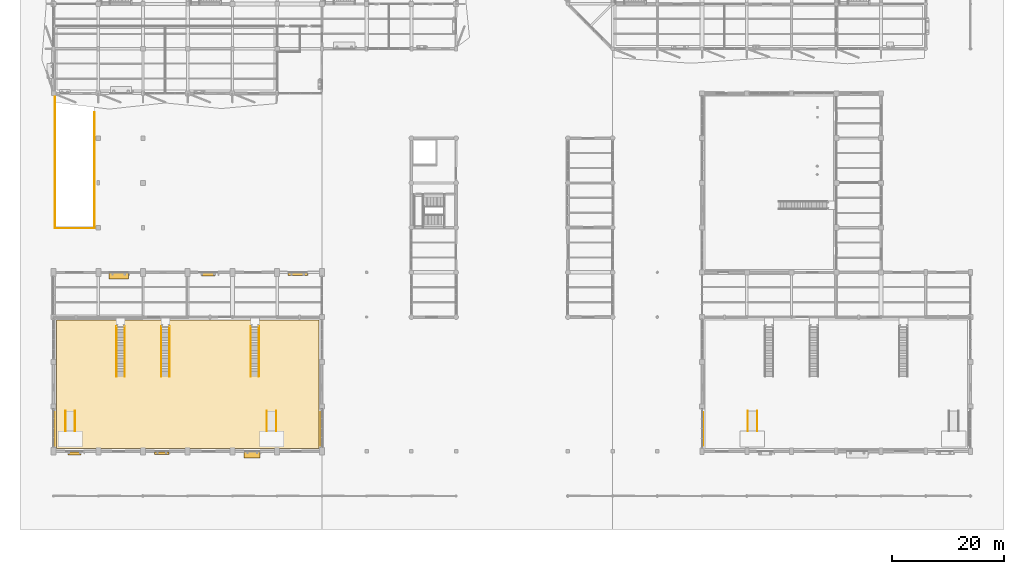
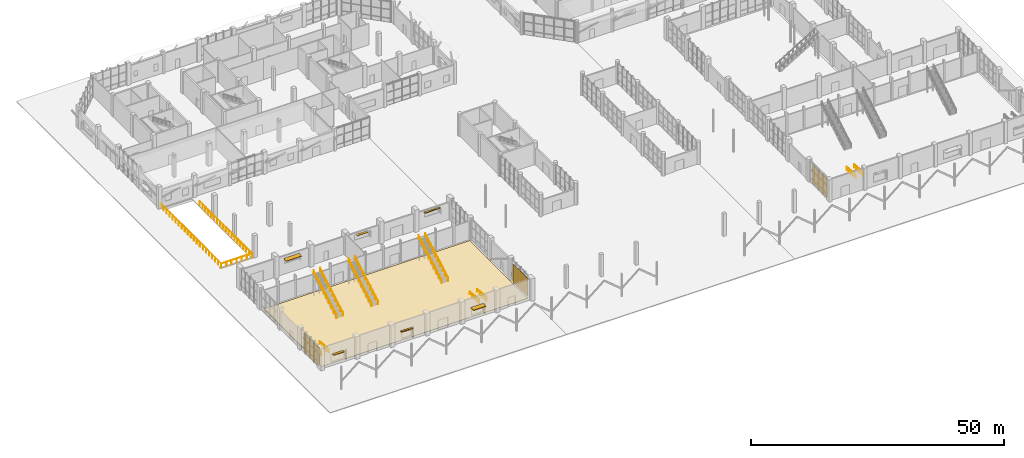
# One storey, part 114 of 123: 13 railings, 6 shading devices, 4 coverings, 6 elements without a shape of their own.
"""IFC4 building model written with IfcOpenShell, lengths in metres."""

from ifc_helpers import new_model, si_unit, direction, frame, origin, origin_2d, place, context, subcontext, project, spatial, polyline, rectangle, circle, outline, extrude, material, layer, layer_set, type_object, element, aggregate, save


model = new_model("IFC4")

# Units and contexts
model_context = context("Model", 3, precision=1e-05, world=origin(), true_north=direction((0.0, 1.0)))
body_context = subcontext(model_context, "Body", "Model", "MODEL_VIEW")
ifc_project = project(units=[si_unit("LENGTHUNIT", "METRE"), si_unit("AREAUNIT", "SQUARE_METRE"), si_unit("VOLUMEUNIT", "CUBIC_METRE"), si_unit("PLANEANGLEUNIT", "RADIAN"), si_unit("MASSUNIT", "GRAM", prefix="KILO")], contexts=[model_context])

# Site, building, storey
site_placement = place(None, origin())
site = spatial("IfcSite", under=ifc_project, at=site_placement, CompositionType="ELEMENT")
building_placement = place(site_placement, origin())
building = spatial("IfcBuilding", under=site, at=building_placement, Name="Tenunan Teduh Sports Hall", CompositionType="ELEMENT")
storey_placement = place(building_placement, origin())
storey = spatial("IfcBuildingStorey", under=building, at=storey_placement, Name="L00", CompositionType="ELEMENT", Elevation=0.0)

# Coverings
ifc_material_1 = material(Name="FIBA area-elastic sprung maple sports floor")
ifc_layer_1 = layer(ifc_material_1, 0.06494140625)
ifc_layer_set_1 = layer_set([ifc_layer_1], Name="FIBA area-elastic sprung maple sports floor")
covering_type_1 = type_object("IfcCoveringType", Name="COV-FLR-SPR", PredefinedType="FLOORING", material=ifc_layer_set_1)
covering_1_placement = place(storey_placement, origin())
element("IfcCovering", 1, at=covering_1_placement, inside=storey, type_object=covering_type_1, Name="COV-FLR-V2L", PredefinedType="FLOORING", context=body_context, shape_type="SweptSolid", body=[
    extrude(outline(polyline([(6.5, 14.5), (53.5, 14.5), (53.5, 37.5), (6.5, 37.5), (6.5, 14.5)])), origin(), (0.0, 0.0, 1.0), 0.06494140625),
])
ifc_material_2 = material(Name="Slatted timber acoustic wall absorption panel", Category="wood")
ifc_layer_2 = layer(ifc_material_2, 0.050048828125)
ifc_layer_set_2 = layer_set([ifc_layer_2], Name="Slatted timber acoustic wall absorption panel")
covering_type_2 = type_object("IfcCoveringType", Name="COV-WALL-AC", PredefinedType="CLADDING", material=ifc_layer_set_2)
covering_2_placement = place(storey_placement, origin())
element("IfcCovering", 2, at=covering_2_placement, inside=storey, type_object=covering_type_2, Name="COV-WLN-01", PredefinedType="CLADDING", context=body_context, shape_type="SweptSolid", body=[
    extrude(outline(polyline([(122.139892578125, 15.0), (122.18994140625, 15.0), (122.18994140625, 21.0), (122.139892578125, 21.0), (122.139892578125, 15.0)])), origin(), (0.0, 0.0, 1.0), 4.39990234375),
])
covering_3_placement = place(storey_placement, origin())
element("IfcCovering", 3, at=covering_3_placement, inside=storey, type_object=covering_type_2, Name="COV-WLN-03", PredefinedType="CLADDING", context=body_context, shape_type="SweptSolid", body=[
    extrude(outline(polyline([(6.139892578125, 15.0), (6.18994140625, 15.0), (6.18994140625, 21.0), (6.139892578125, 21.0), (6.139892578125, 15.0)])), origin(), (0.0, 0.0, 1.0), 4.39990234375),
])
covering_4_placement = place(storey_placement, origin())
element("IfcCovering", 4, at=covering_4_placement, inside=storey, type_object=covering_type_2, Name="COV-WLN-04", PredefinedType="CLADDING", context=body_context, shape_type="SweptSolid", body=[
    extrude(outline(polyline([(53.81005859375, 15.0), (53.860107421875, 15.0), (53.860107421875, 21.0), (53.81005859375, 21.0), (53.81005859375, 15.0)])), origin(), (0.0, 0.0, 1.0), 4.39990234375),
])

# Railing
ifc_material_3 = material(Name="Galvanised and powder-coated steel", Category="steel")
ifc_layer_3 = layer(ifc_material_3, 0.070068359375)
ifc_layer_set_3 = layer_set([ifc_layer_3], Name="Galvanised and powder-coated steel")
railing_type_1 = type_object("IfcRailingType", Name="RLG-EXT-GRD", PredefinedType="GUARDRAIL", material=ifc_layer_set_3)
railing_1_placement = place(storey_placement, frame((6.280029296875, 77.85009765625, 0.0)))
element("IfcRailing", 5, at=railing_1_placement, inside=storey, type_object=railing_type_1, Name="RLG-L00-VRMP-PIT", PredefinedType="GUARDRAIL", context=body_context, shape_type="SweptSolid", body=[
    extrude(circle(Radius=0.02392578125, at=origin_2d()), frame((0.0, 0.0, 1.09619140625), z_axis=(0.0, -1.0, 0.0), x_axis=(1.0, 0.0, 0.0)), (0.0, 0.0, 1.0), 23.97021484375),
    extrude(circle(Radius=0.02392578125, at=origin_2d()), frame((0.0, -23.97021484375, 1.09619140625), z_axis=(1.0, 0.0, 0.0), x_axis=(0.0, 1.0, 0.0)), (0.0, 0.0, 1.0), 7.0400390625),
    extrude(circle(Radius=0.02392578125, at=origin_2d()), frame((7.0400390625, -23.97021484375, 1.09619140625), z_axis=(0.0, 1.0, 0.0), x_axis=(-1.0, 0.0, 0.0)), (0.0, 0.0, 1.0), 20.72021484375),
    extrude(circle(Radius=0.02099609375, at=origin_2d()), origin(), (0.0, 0.0, 1.0), 1.072021484375),
    extrude(circle(Radius=0.02099609375, at=origin_2d()), frame((0.0, -1.198486328125, 0.0)), (0.0, 0.0, 1.0), 1.072021484375),
    extrude(circle(Radius=0.02099609375, at=origin_2d()), frame((0.0, -2.39697265625, 0.0)), (0.0, 0.0, 1.0), 1.072021484375),
    extrude(circle(Radius=0.02099609375, at=origin_2d()), frame((0.0, -3.595458984375, 0.0)), (0.0, 0.0, 1.0), 1.072021484375),
    extrude(circle(Radius=0.02099609375, at=origin_2d()), frame((0.0, -4.7939453125, 0.0)), (0.0, 0.0, 1.0), 1.072021484375),
    extrude(circle(Radius=0.02099609375, at=origin_2d()), frame((0.0, -5.99267578125, 0.0)), (0.0, 0.0, 1.0), 1.072021484375),
    extrude(circle(Radius=0.02099609375, at=origin_2d()), frame((0.0, -7.191162109375, 0.0)), (0.0, 0.0, 1.0), 1.072021484375),
    extrude(circle(Radius=0.02099609375, at=origin_2d()), frame((0.0, -8.3896484375, 0.0)), (0.0, 0.0, 1.0), 1.072021484375),
    extrude(circle(Radius=0.02099609375, at=origin_2d()), frame((0.0, -9.588134765625, 0.0)), (0.0, 0.0, 1.0), 1.072021484375),
    extrude(circle(Radius=0.02099609375, at=origin_2d()), frame((0.0, -10.78662109375, 0.0)), (0.0, 0.0, 1.0), 1.072021484375),
    extrude(circle(Radius=0.02099609375, at=origin_2d()), frame((0.0, -11.985107421875, 0.0)), (0.0, 0.0, 1.0), 1.072021484375),
    extrude(circle(Radius=0.02099609375, at=origin_2d()), frame((0.0, -13.18359375, 0.0)), (0.0, 0.0, 1.0), 1.072021484375),
    extrude(circle(Radius=0.02099609375, at=origin_2d()), frame((0.0, -14.382080078125, 0.0)), (0.0, 0.0, 1.0), 1.072021484375),
    extrude(circle(Radius=0.02099609375, at=origin_2d()), frame((0.0, -15.58056640625, 0.0)), (0.0, 0.0, 1.0), 1.072021484375),
    extrude(circle(Radius=0.02099609375, at=origin_2d()), frame((0.0, -16.779052734375, 0.0)), (0.0, 0.0, 1.0), 1.072021484375),
    extrude(circle(Radius=0.02099609375, at=origin_2d()), frame((0.0, -17.9775390625, 0.0)), (0.0, 0.0, 1.0), 1.072021484375),
    extrude(circle(Radius=0.02099609375, at=origin_2d()), frame((0.0, -19.17626953125, 0.0)), (0.0, 0.0, 1.0), 1.072021484375),
    extrude(circle(Radius=0.02099609375, at=origin_2d()), frame((0.0, -20.374755859375, 0.0)), (0.0, 0.0, 1.0), 1.072021484375),
    extrude(circle(Radius=0.02099609375, at=origin_2d()), frame((0.0, -21.5732421875, 0.0)), (0.0, 0.0, 1.0), 1.072021484375),
    extrude(circle(Radius=0.02099609375, at=origin_2d()), frame((0.0, -22.771728515625, 0.0)), (0.0, 0.0, 1.0), 1.072021484375),
    extrude(circle(Radius=0.02099609375, at=origin_2d()), frame((0.0, -23.97021484375, 0.0)), (0.0, 0.0, 1.0), 1.072021484375),
    extrude(circle(Radius=0.02099609375, at=origin_2d()), frame((1.17333984375, -23.97021484375, 0.0)), (0.0, 0.0, 1.0), 1.072021484375),
    extrude(circle(Radius=0.02099609375, at=origin_2d()), frame((2.3466796875, -23.97021484375, 0.0)), (0.0, 0.0, 1.0), 1.072021484375),
    extrude(circle(Radius=0.02099609375, at=origin_2d()), frame((3.52001953125, -23.97021484375, 0.0)), (0.0, 0.0, 1.0), 1.072021484375),
    extrude(circle(Radius=0.02099609375, at=origin_2d()), frame((4.693359375, -23.97021484375, 0.0)), (0.0, 0.0, 1.0), 1.072021484375),
    extrude(circle(Radius=0.02099609375, at=origin_2d()), frame((5.86669921875, -23.97021484375, 0.0)), (0.0, 0.0, 1.0), 1.072021484375),
    extrude(circle(Radius=0.02099609375, at=origin_2d()), frame((7.0400390625, -23.97021484375, 0.0)), (0.0, 0.0, 1.0), 1.072021484375),
    extrude(circle(Radius=0.02099609375, at=origin_2d()), frame((7.0400390625, -22.819091796875, 0.0)), (0.0, 0.0, 1.0), 1.072021484375),
    extrude(circle(Radius=0.02099609375, at=origin_2d()), frame((7.0400390625, -21.66796875, 0.0)), (0.0, 0.0, 1.0), 1.072021484375),
    extrude(circle(Radius=0.02099609375, at=origin_2d()), frame((7.0400390625, -20.516845703125, 0.0)), (0.0, 0.0, 1.0), 1.072021484375),
    extrude(circle(Radius=0.02099609375, at=origin_2d()), frame((7.0400390625, -19.36572265625, 0.0)), (0.0, 0.0, 1.0), 1.072021484375),
    extrude(circle(Radius=0.02099609375, at=origin_2d()), frame((7.0400390625, -18.214599609375, 0.0)), (0.0, 0.0, 1.0), 1.072021484375),
    extrude(circle(Radius=0.02099609375, at=origin_2d()), frame((7.0400390625, -17.0634765625, 0.0)), (0.0, 0.0, 1.0), 1.072021484375),
    extrude(circle(Radius=0.02099609375, at=origin_2d()), frame((7.0400390625, -15.912353515625, 0.0)), (0.0, 0.0, 1.0), 1.072021484375),
    extrude(circle(Radius=0.02099609375, at=origin_2d()), frame((7.0400390625, -14.76123046875, 0.0)), (0.0, 0.0, 1.0), 1.072021484375),
    extrude(circle(Radius=0.02099609375, at=origin_2d()), frame((7.0400390625, -13.610107421875, 0.0)), (0.0, 0.0, 1.0), 1.072021484375),
    extrude(circle(Radius=0.02099609375, at=origin_2d()), frame((7.0400390625, -12.458984375, 0.0)), (0.0, 0.0, 1.0), 1.072021484375),
    extrude(circle(Radius=0.02099609375, at=origin_2d()), frame((7.0400390625, -11.307861328125, 0.0)), (0.0, 0.0, 1.0), 1.072021484375),
    extrude(circle(Radius=0.02099609375, at=origin_2d()), frame((7.0400390625, -10.15673828125, 0.0)), (0.0, 0.0, 1.0), 1.072021484375),
    extrude(circle(Radius=0.02099609375, at=origin_2d()), frame((7.0400390625, -9.005615234375, 0.0)), (0.0, 0.0, 1.0), 1.072021484375),
    extrude(circle(Radius=0.02099609375, at=origin_2d()), frame((7.0400390625, -7.8544921875, 0.0)), (0.0, 0.0, 1.0), 1.072021484375),
    extrude(circle(Radius=0.02099609375, at=origin_2d()), frame((7.0400390625, -6.703369140625, 0.0)), (0.0, 0.0, 1.0), 1.072021484375),
    extrude(circle(Radius=0.02099609375, at=origin_2d()), frame((7.0400390625, -5.55224609375, 0.0)), (0.0, 0.0, 1.0), 1.072021484375),
    extrude(circle(Radius=0.02099609375, at=origin_2d()), frame((7.0400390625, -4.401123046875, 0.0)), (0.0, 0.0, 1.0), 1.072021484375),
    extrude(circle(Radius=0.02099609375, at=origin_2d()), frame((7.0400390625, -3.25, 0.0)), (0.0, 0.0, 1.0), 1.072021484375),
])

# Stair, railings
ifc_material_4 = material(Name="Precast concrete C40/50", Category="concrete")
stair_type = type_object("IfcStairType", Name="STR-VOM-W", PredefinedType="STRAIGHT_RUN_STAIR", material=ifc_material_4)
stair_1_placement = place(storey_placement, origin())
stair_1 = element("IfcStair", 6, at=stair_1_placement, inside=storey, type_object=stair_type, Name="STR-VOM-V2A", PredefinedType="STRAIGHT_RUN_STAIR")
ifc_material_5 = material(Name="Brushed stainless steel", Category="steel")
ifc_layer_4 = layer(ifc_material_5, 0.050048828125)
ifc_layer_set_4 = layer_set([ifc_layer_4], Name="Brushed stainless steel")
railing_type_2 = type_object("IfcRailingType", Name="RLG-STAIR-HR", PredefinedType="HANDRAIL", material=ifc_layer_set_4)
railing_2_placement = place(storey_placement, frame((18.739990234375, 27.389892578125, 0.168701171875)))
railing_2 = element("IfcRailing", 7, at=railing_2_placement, type_object=railing_type_2, Name="STR-VOM-V2A-HR1", PredefinedType="HANDRAIL", context=body_context, shape_type="SweptSolid", body=[
    extrude(circle(Radius=0.02392578125, at=origin_2d()), frame((0.0, 0.0, 0.89599609375), z_axis=(0.0, 0.864320696011, 0.50294108447), x_axis=(-1.0, 0.0, 0.0)), (0.0, 0.0, 1.0), 10.401123046875),
    extrude(circle(Radius=0.02099609375, at=origin_2d()), origin(), (0.0, 0.0, 1.0), 0.871826171875),
    extrude(circle(Radius=0.02099609375, at=origin_2d()), frame((0.0, 0.998779296875, 0.581298828125)), (0.0, 0.0, 1.0), 0.871826171875),
    extrude(circle(Radius=0.02099609375, at=origin_2d()), frame((0.0, 1.997802734375, 1.16259765625)), (0.0, 0.0, 1.0), 0.871826171875),
    extrude(circle(Radius=0.02099609375, at=origin_2d()), frame((0.0, 2.99658203125, 1.74365234375)), (0.0, 0.0, 1.0), 0.871826171875),
    extrude(circle(Radius=0.02099609375, at=origin_2d()), frame((0.0, 3.99560546875, 2.324951171875)), (0.0, 0.0, 1.0), 0.871826171875),
    extrude(circle(Radius=0.02099609375, at=origin_2d()), frame((0.0, 4.994384765625, 2.90625)), (0.0, 0.0, 1.0), 0.871826171875),
    extrude(circle(Radius=0.02099609375, at=origin_2d()), frame((0.0, 5.993408203125, 3.487548828125)), (0.0, 0.0, 1.0), 0.871826171875),
    extrude(circle(Radius=0.02099609375, at=origin_2d()), frame((0.0, 6.9921875, 4.068603515625)), (0.0, 0.0, 1.0), 0.871826171875),
    extrude(circle(Radius=0.02099609375, at=origin_2d()), frame((0.0, 7.9912109375, 4.64990234375)), (0.0, 0.0, 1.0), 0.871826171875),
    extrude(circle(Radius=0.02099609375, at=origin_2d()), frame((0.0, 8.989990234375, 5.231201171875)), (0.0, 0.0, 1.0), 0.871826171875),
])
railing_3_placement = place(storey_placement, frame((17.260009765625, 27.389892578125, 0.168701171875)))
railing_3 = element("IfcRailing", 8, at=railing_3_placement, type_object=railing_type_2, Name="STR-VOM-V2A-HR2", PredefinedType="HANDRAIL", context=body_context, shape_type="SweptSolid", body=[
    extrude(circle(Radius=0.02392578125, at=origin_2d()), frame((0.0, 0.0, 0.89599609375), z_axis=(0.0, 0.864320696011, 0.50294108447), x_axis=(-1.0, 0.0, 0.0)), (0.0, 0.0, 1.0), 10.401123046875),
    extrude(circle(Radius=0.02099609375, at=origin_2d()), origin(), (0.0, 0.0, 1.0), 0.871826171875),
    extrude(circle(Radius=0.02099609375, at=origin_2d()), frame((0.0, 0.998779296875, 0.581298828125)), (0.0, 0.0, 1.0), 0.871826171875),
    extrude(circle(Radius=0.02099609375, at=origin_2d()), frame((0.0, 1.997802734375, 1.16259765625)), (0.0, 0.0, 1.0), 0.871826171875),
    extrude(circle(Radius=0.02099609375, at=origin_2d()), frame((0.0, 2.99658203125, 1.74365234375)), (0.0, 0.0, 1.0), 0.871826171875),
    extrude(circle(Radius=0.02099609375, at=origin_2d()), frame((0.0, 3.99560546875, 2.324951171875)), (0.0, 0.0, 1.0), 0.871826171875),
    extrude(circle(Radius=0.02099609375, at=origin_2d()), frame((0.0, 4.994384765625, 2.90625)), (0.0, 0.0, 1.0), 0.871826171875),
    extrude(circle(Radius=0.02099609375, at=origin_2d()), frame((0.0, 5.993408203125, 3.487548828125)), (0.0, 0.0, 1.0), 0.871826171875),
    extrude(circle(Radius=0.02099609375, at=origin_2d()), frame((0.0, 6.9921875, 4.068603515625)), (0.0, 0.0, 1.0), 0.871826171875),
    extrude(circle(Radius=0.02099609375, at=origin_2d()), frame((0.0, 7.9912109375, 4.64990234375)), (0.0, 0.0, 1.0), 0.871826171875),
    extrude(circle(Radius=0.02099609375, at=origin_2d()), frame((0.0, 8.989990234375, 5.231201171875)), (0.0, 0.0, 1.0), 0.871826171875),
])
aggregate(stair_1, [railing_2, railing_3])

stair_2_placement = place(storey_placement, origin())
stair_2 = element("IfcStair", 9, at=stair_2_placement, inside=storey, type_object=stair_type, Name="STR-VOM-V2M", PredefinedType="STRAIGHT_RUN_STAIR")
railing_4_placement = place(storey_placement, frame((26.739990234375, 27.389892578125, 0.168701171875)))
railing_4 = element("IfcRailing", 10, at=railing_4_placement, type_object=railing_type_2, Name="STR-VOM-V2M-HR1", PredefinedType="HANDRAIL", context=body_context, shape_type="SweptSolid", body=[
    extrude(circle(Radius=0.02392578125, at=origin_2d()), frame((0.0, 0.0, 0.89599609375), z_axis=(0.0, 0.864320696011, 0.50294108447), x_axis=(-1.0, 0.0, 0.0)), (0.0, 0.0, 1.0), 10.401123046875),
    extrude(circle(Radius=0.02099609375, at=origin_2d()), origin(), (0.0, 0.0, 1.0), 0.871826171875),
    extrude(circle(Radius=0.02099609375, at=origin_2d()), frame((0.0, 0.998779296875, 0.581298828125)), (0.0, 0.0, 1.0), 0.871826171875),
    extrude(circle(Radius=0.02099609375, at=origin_2d()), frame((0.0, 1.997802734375, 1.16259765625)), (0.0, 0.0, 1.0), 0.871826171875),
    extrude(circle(Radius=0.02099609375, at=origin_2d()), frame((0.0, 2.99658203125, 1.74365234375)), (0.0, 0.0, 1.0), 0.871826171875),
    extrude(circle(Radius=0.02099609375, at=origin_2d()), frame((0.0, 3.99560546875, 2.324951171875)), (0.0, 0.0, 1.0), 0.871826171875),
    extrude(circle(Radius=0.02099609375, at=origin_2d()), frame((0.0, 4.994384765625, 2.90625)), (0.0, 0.0, 1.0), 0.871826171875),
    extrude(circle(Radius=0.02099609375, at=origin_2d()), frame((0.0, 5.993408203125, 3.487548828125)), (0.0, 0.0, 1.0), 0.871826171875),
    extrude(circle(Radius=0.02099609375, at=origin_2d()), frame((0.0, 6.9921875, 4.068603515625)), (0.0, 0.0, 1.0), 0.871826171875),
    extrude(circle(Radius=0.02099609375, at=origin_2d()), frame((0.0, 7.9912109375, 4.64990234375)), (0.0, 0.0, 1.0), 0.871826171875),
    extrude(circle(Radius=0.02099609375, at=origin_2d()), frame((0.0, 8.989990234375, 5.231201171875)), (0.0, 0.0, 1.0), 0.871826171875),
])
railing_5_placement = place(storey_placement, frame((25.260009765625, 27.389892578125, 0.168701171875)))
railing_5 = element("IfcRailing", 11, at=railing_5_placement, type_object=railing_type_2, Name="STR-VOM-V2M-HR2", PredefinedType="HANDRAIL", context=body_context, shape_type="SweptSolid", body=[
    extrude(circle(Radius=0.02392578125, at=origin_2d()), frame((0.0, 0.0, 0.89599609375), z_axis=(0.0, 0.864320696011, 0.50294108447), x_axis=(-1.0, 0.0, 0.0)), (0.0, 0.0, 1.0), 10.401123046875),
    extrude(circle(Radius=0.02099609375, at=origin_2d()), origin(), (0.0, 0.0, 1.0), 0.871826171875),
    extrude(circle(Radius=0.02099609375, at=origin_2d()), frame((0.0, 0.998779296875, 0.581298828125)), (0.0, 0.0, 1.0), 0.871826171875),
    extrude(circle(Radius=0.02099609375, at=origin_2d()), frame((0.0, 1.997802734375, 1.16259765625)), (0.0, 0.0, 1.0), 0.871826171875),
    extrude(circle(Radius=0.02099609375, at=origin_2d()), frame((0.0, 2.99658203125, 1.74365234375)), (0.0, 0.0, 1.0), 0.871826171875),
    extrude(circle(Radius=0.02099609375, at=origin_2d()), frame((0.0, 3.99560546875, 2.324951171875)), (0.0, 0.0, 1.0), 0.871826171875),
    extrude(circle(Radius=0.02099609375, at=origin_2d()), frame((0.0, 4.994384765625, 2.90625)), (0.0, 0.0, 1.0), 0.871826171875),
    extrude(circle(Radius=0.02099609375, at=origin_2d()), frame((0.0, 5.993408203125, 3.487548828125)), (0.0, 0.0, 1.0), 0.871826171875),
    extrude(circle(Radius=0.02099609375, at=origin_2d()), frame((0.0, 6.9921875, 4.068603515625)), (0.0, 0.0, 1.0), 0.871826171875),
    extrude(circle(Radius=0.02099609375, at=origin_2d()), frame((0.0, 7.9912109375, 4.64990234375)), (0.0, 0.0, 1.0), 0.871826171875),
    extrude(circle(Radius=0.02099609375, at=origin_2d()), frame((0.0, 8.989990234375, 5.231201171875)), (0.0, 0.0, 1.0), 0.871826171875),
])
aggregate(stair_2, [railing_4, railing_5])

stair_3_placement = place(storey_placement, origin())
stair_3 = element("IfcStair", 12, at=stair_3_placement, inside=storey, type_object=stair_type, Name="STR-VOM-V2B", PredefinedType="STRAIGHT_RUN_STAIR")
railing_6_placement = place(storey_placement, frame((42.739990234375, 27.389892578125, 0.168701171875)))
railing_6 = element("IfcRailing", 13, at=railing_6_placement, type_object=railing_type_2, Name="STR-VOM-V2B-HR1", PredefinedType="HANDRAIL", context=body_context, shape_type="SweptSolid", body=[
    extrude(circle(Radius=0.02392578125, at=origin_2d()), frame((0.0, 0.0, 0.89599609375), z_axis=(0.0, 0.864320696011, 0.50294108447), x_axis=(-1.0, 0.0, 0.0)), (0.0, 0.0, 1.0), 10.401123046875),
    extrude(circle(Radius=0.02099609375, at=origin_2d()), origin(), (0.0, 0.0, 1.0), 0.871826171875),
    extrude(circle(Radius=0.02099609375, at=origin_2d()), frame((0.0, 0.998779296875, 0.581298828125)), (0.0, 0.0, 1.0), 0.871826171875),
    extrude(circle(Radius=0.02099609375, at=origin_2d()), frame((0.0, 1.997802734375, 1.16259765625)), (0.0, 0.0, 1.0), 0.871826171875),
    extrude(circle(Radius=0.02099609375, at=origin_2d()), frame((0.0, 2.99658203125, 1.74365234375)), (0.0, 0.0, 1.0), 0.871826171875),
    extrude(circle(Radius=0.02099609375, at=origin_2d()), frame((0.0, 3.99560546875, 2.324951171875)), (0.0, 0.0, 1.0), 0.871826171875),
    extrude(circle(Radius=0.02099609375, at=origin_2d()), frame((0.0, 4.994384765625, 2.90625)), (0.0, 0.0, 1.0), 0.871826171875),
    extrude(circle(Radius=0.02099609375, at=origin_2d()), frame((0.0, 5.993408203125, 3.487548828125)), (0.0, 0.0, 1.0), 0.871826171875),
    extrude(circle(Radius=0.02099609375, at=origin_2d()), frame((0.0, 6.9921875, 4.068603515625)), (0.0, 0.0, 1.0), 0.871826171875),
    extrude(circle(Radius=0.02099609375, at=origin_2d()), frame((0.0, 7.9912109375, 4.64990234375)), (0.0, 0.0, 1.0), 0.871826171875),
    extrude(circle(Radius=0.02099609375, at=origin_2d()), frame((0.0, 8.989990234375, 5.231201171875)), (0.0, 0.0, 1.0), 0.871826171875),
])
railing_7_placement = place(storey_placement, frame((41.260009765625, 27.389892578125, 0.168701171875)))
railing_7 = element("IfcRailing", 14, at=railing_7_placement, type_object=railing_type_2, Name="STR-VOM-V2B-HR2", PredefinedType="HANDRAIL", context=body_context, shape_type="SweptSolid", body=[
    extrude(circle(Radius=0.02392578125, at=origin_2d()), frame((0.0, 0.0, 0.89599609375), z_axis=(0.0, 0.864320696011, 0.50294108447), x_axis=(-1.0, 0.0, 0.0)), (0.0, 0.0, 1.0), 10.401123046875),
    extrude(circle(Radius=0.02099609375, at=origin_2d()), origin(), (0.0, 0.0, 1.0), 0.871826171875),
    extrude(circle(Radius=0.02099609375, at=origin_2d()), frame((0.0, 0.998779296875, 0.581298828125)), (0.0, 0.0, 1.0), 0.871826171875),
    extrude(circle(Radius=0.02099609375, at=origin_2d()), frame((0.0, 1.997802734375, 1.16259765625)), (0.0, 0.0, 1.0), 0.871826171875),
    extrude(circle(Radius=0.02099609375, at=origin_2d()), frame((0.0, 2.99658203125, 1.74365234375)), (0.0, 0.0, 1.0), 0.871826171875),
    extrude(circle(Radius=0.02099609375, at=origin_2d()), frame((0.0, 3.99560546875, 2.324951171875)), (0.0, 0.0, 1.0), 0.871826171875),
    extrude(circle(Radius=0.02099609375, at=origin_2d()), frame((0.0, 4.994384765625, 2.90625)), (0.0, 0.0, 1.0), 0.871826171875),
    extrude(circle(Radius=0.02099609375, at=origin_2d()), frame((0.0, 5.993408203125, 3.487548828125)), (0.0, 0.0, 1.0), 0.871826171875),
    extrude(circle(Radius=0.02099609375, at=origin_2d()), frame((0.0, 6.9921875, 4.068603515625)), (0.0, 0.0, 1.0), 0.871826171875),
    extrude(circle(Radius=0.02099609375, at=origin_2d()), frame((0.0, 7.9912109375, 4.64990234375)), (0.0, 0.0, 1.0), 0.871826171875),
    extrude(circle(Radius=0.02099609375, at=origin_2d()), frame((0.0, 8.989990234375, 5.231201171875)), (0.0, 0.0, 1.0), 0.871826171875),
])
aggregate(stair_3, [railing_6, railing_7])

# Ramp, railings
ifc_material_6 = material(Name="Concrete C40/50", Category="concrete")
ramp_type = type_object("IfcRampType", Name="RMP-PED-112", PredefinedType="STRAIGHT_RUN_RAMP", material=ifc_material_6)
ramp_1_placement = place(storey_placement, origin())
ramp_1 = element("IfcRamp", 15, at=ramp_1_placement, inside=storey, type_object=ramp_type, Name="Accessible Court Viewing Platform Ramp 1", PredefinedType="STRAIGHT_RUN_RAMP")
railing_8_placement = place(storey_placement, frame((8.14990234375, 21.199951171875, 0.0)))
railing_8 = element("IfcRailing", 16, at=railing_8_placement, type_object=railing_type_2, Name="RMP-PED-01-HR1", PredefinedType="HANDRAIL", context=body_context, shape_type="SweptSolid", body=[
    extrude(circle(Radius=0.02392578125, at=origin_2d()), frame((0.0, 0.0, 0.89599609375), z_axis=(0.0, -0.996544359788, 0.083062259626), x_axis=(1.0, 0.0, 0.0)), (0.0, 0.0, 1.0), 3.6123046875),
    extrude(circle(Radius=0.02099609375, at=origin_2d()), origin(), (0.0, 0.0, 1.0), 0.871826171875),
    extrude(circle(Radius=0.02099609375, at=origin_2d()), frame((0.0, -0.89990234375, 0.074951171875)), (0.0, 0.0, 1.0), 0.871826171875),
    extrude(circle(Radius=0.02099609375, at=origin_2d()), frame((0.0, -1.7998046875, 0.14990234375)), (0.0, 0.0, 1.0), 0.871826171875),
    extrude(circle(Radius=0.02099609375, at=origin_2d()), frame((0.0, -2.699951171875, 0.22509765625)), (0.0, 0.0, 1.0), 0.871826171875),
    extrude(circle(Radius=0.02099609375, at=origin_2d()), frame((0.0, -3.599853515625, 0.300048828125)), (0.0, 0.0, 1.0), 0.871826171875),
])
railing_9_placement = place(storey_placement, frame((9.85009765625, 21.199951171875, 0.0)))
railing_9 = element("IfcRailing", 17, at=railing_9_placement, type_object=railing_type_2, Name="RMP-PED-01-HR2", PredefinedType="HANDRAIL", context=body_context, shape_type="SweptSolid", body=[
    extrude(circle(Radius=0.02392578125, at=origin_2d()), frame((0.0, 0.0, 0.89599609375), z_axis=(0.0, -0.996544359788, 0.083062259626), x_axis=(1.0, 0.0, 0.0)), (0.0, 0.0, 1.0), 3.6123046875),
    extrude(circle(Radius=0.02099609375, at=origin_2d()), origin(), (0.0, 0.0, 1.0), 0.871826171875),
    extrude(circle(Radius=0.02099609375, at=origin_2d()), frame((0.0, -0.89990234375, 0.074951171875)), (0.0, 0.0, 1.0), 0.871826171875),
    extrude(circle(Radius=0.02099609375, at=origin_2d()), frame((0.0, -1.7998046875, 0.14990234375)), (0.0, 0.0, 1.0), 0.871826171875),
    extrude(circle(Radius=0.02099609375, at=origin_2d()), frame((0.0, -2.699951171875, 0.22509765625)), (0.0, 0.0, 1.0), 0.871826171875),
    extrude(circle(Radius=0.02099609375, at=origin_2d()), frame((0.0, -3.599853515625, 0.300048828125)), (0.0, 0.0, 1.0), 0.871826171875),
])
aggregate(ramp_1, [railing_8, railing_9])

ramp_2_placement = place(storey_placement, origin())
ramp_2 = element("IfcRamp", 18, at=ramp_2_placement, inside=storey, type_object=ramp_type, Name="Accessible Court Viewing Platform Ramp 2", PredefinedType="STRAIGHT_RUN_RAMP")
railing_10_placement = place(storey_placement, frame((44.14990234375, 21.199951171875, 0.0)))
railing_10 = element("IfcRailing", 19, at=railing_10_placement, type_object=railing_type_2, Name="RMP-PED-02-HR1", PredefinedType="HANDRAIL", context=body_context, shape_type="SweptSolid", body=[
    extrude(circle(Radius=0.02392578125, at=origin_2d()), frame((0.0, 0.0, 0.89599609375), z_axis=(0.0, -0.996544359788, 0.083062259626), x_axis=(1.0, 0.0, 0.0)), (0.0, 0.0, 1.0), 3.6123046875),
    extrude(circle(Radius=0.02099609375, at=origin_2d()), origin(), (0.0, 0.0, 1.0), 0.871826171875),
    extrude(circle(Radius=0.02099609375, at=origin_2d()), frame((0.0, -0.89990234375, 0.074951171875)), (0.0, 0.0, 1.0), 0.871826171875),
    extrude(circle(Radius=0.02099609375, at=origin_2d()), frame((0.0, -1.7998046875, 0.14990234375)), (0.0, 0.0, 1.0), 0.871826171875),
    extrude(circle(Radius=0.02099609375, at=origin_2d()), frame((0.0, -2.699951171875, 0.22509765625)), (0.0, 0.0, 1.0), 0.871826171875),
    extrude(circle(Radius=0.02099609375, at=origin_2d()), frame((0.0, -3.599853515625, 0.300048828125)), (0.0, 0.0, 1.0), 0.871826171875),
])
railing_11_placement = place(storey_placement, frame((45.85009765625, 21.199951171875, 0.0)))
railing_11 = element("IfcRailing", 20, at=railing_11_placement, type_object=railing_type_2, Name="RMP-PED-02-HR2", PredefinedType="HANDRAIL", context=body_context, shape_type="SweptSolid", body=[
    extrude(circle(Radius=0.02392578125, at=origin_2d()), frame((0.0, 0.0, 0.89599609375), z_axis=(0.0, -0.996544359788, 0.083062259626), x_axis=(1.0, 0.0, 0.0)), (0.0, 0.0, 1.0), 3.6123046875),
    extrude(circle(Radius=0.02099609375, at=origin_2d()), origin(), (0.0, 0.0, 1.0), 0.871826171875),
    extrude(circle(Radius=0.02099609375, at=origin_2d()), frame((0.0, -0.89990234375, 0.074951171875)), (0.0, 0.0, 1.0), 0.871826171875),
    extrude(circle(Radius=0.02099609375, at=origin_2d()), frame((0.0, -1.7998046875, 0.14990234375)), (0.0, 0.0, 1.0), 0.871826171875),
    extrude(circle(Radius=0.02099609375, at=origin_2d()), frame((0.0, -2.699951171875, 0.22509765625)), (0.0, 0.0, 1.0), 0.871826171875),
    extrude(circle(Radius=0.02099609375, at=origin_2d()), frame((0.0, -3.599853515625, 0.300048828125)), (0.0, 0.0, 1.0), 0.871826171875),
])
aggregate(ramp_2, [railing_10, railing_11])

ramp_3_placement = place(storey_placement, origin())
ramp_3 = element("IfcRamp", 21, at=ramp_3_placement, inside=storey, type_object=ramp_type, Name="Accessible Court Viewing Platform Ramp 3", PredefinedType="STRAIGHT_RUN_RAMP")
railing_12_placement = place(storey_placement, frame((130.14990234375, 21.199951171875, 0.0)))
railing_12 = element("IfcRailing", 22, at=railing_12_placement, type_object=railing_type_2, Name="RMP-PED-03-HR1", PredefinedType="HANDRAIL", context=body_context, shape_type="SweptSolid", body=[
    extrude(circle(Radius=0.02392578125, at=origin_2d()), frame((0.0, 0.0, 0.89599609375), z_axis=(0.0, -0.996544359788, 0.083062259626), x_axis=(1.0, 0.0, 0.0)), (0.0, 0.0, 1.0), 3.6123046875),
    extrude(circle(Radius=0.02099609375, at=origin_2d()), origin(), (0.0, 0.0, 1.0), 0.871826171875),
    extrude(circle(Radius=0.02099609375, at=origin_2d()), frame((0.0, -0.89990234375, 0.074951171875)), (0.0, 0.0, 1.0), 0.871826171875),
    extrude(circle(Radius=0.02099609375, at=origin_2d()), frame((0.0, -1.7998046875, 0.14990234375)), (0.0, 0.0, 1.0), 0.871826171875),
    extrude(circle(Radius=0.02099609375, at=origin_2d()), frame((0.0, -2.699951171875, 0.22509765625)), (0.0, 0.0, 1.0), 0.871826171875),
    extrude(circle(Radius=0.02099609375, at=origin_2d()), frame((0.0, -3.599853515625, 0.300048828125)), (0.0, 0.0, 1.0), 0.871826171875),
])
railing_13_placement = place(storey_placement, frame((131.85009765625, 21.199951171875, 0.0)))
railing_13 = element("IfcRailing", 23, at=railing_13_placement, type_object=railing_type_2, Name="RMP-PED-03-HR2", PredefinedType="HANDRAIL", context=body_context, shape_type="SweptSolid", body=[
    extrude(circle(Radius=0.02392578125, at=origin_2d()), frame((0.0, 0.0, 0.89599609375), z_axis=(0.0, -0.996544359788, 0.083062259626), x_axis=(1.0, 0.0, 0.0)), (0.0, 0.0, 1.0), 3.6123046875),
    extrude(circle(Radius=0.02099609375, at=origin_2d()), origin(), (0.0, 0.0, 1.0), 0.871826171875),
    extrude(circle(Radius=0.02099609375, at=origin_2d()), frame((0.0, -0.89990234375, 0.074951171875)), (0.0, 0.0, 1.0), 0.871826171875),
    extrude(circle(Radius=0.02099609375, at=origin_2d()), frame((0.0, -1.7998046875, 0.14990234375)), (0.0, 0.0, 1.0), 0.871826171875),
    extrude(circle(Radius=0.02099609375, at=origin_2d()), frame((0.0, -2.699951171875, 0.22509765625)), (0.0, 0.0, 1.0), 0.871826171875),
    extrude(circle(Radius=0.02099609375, at=origin_2d()), frame((0.0, -3.599853515625, 0.300048828125)), (0.0, 0.0, 1.0), 0.871826171875),
])
aggregate(ramp_3, [railing_12, railing_13])

# Shading devices
ifc_material_7 = material(Name="Perforated anodised aluminium", Category="aluminium")
shading_device_type_1 = type_object("IfcShadingDeviceType", Name="SHD-LOUVRE-1", PredefinedType="AWNING", material=ifc_material_7)
shading_device_1_placement = place(storey_placement, frame((25.375, 13.64990234375, 2.820068359375), z_axis=(0.0, 0.0, 1.0), x_axis=(1.0, 0.0, 0.0)))
element("IfcShadingDevice", 24, at=shading_device_1_placement, inside=storey, type_object=shading_device_type_1, Name="SHD-L00-006", PredefinedType="AWNING", context=body_context, shape_type="SweptSolid", body=[
    extrude(rectangle(XDim=2.550048828125, YDim=0.449951171875, at=origin_2d()), origin(), (0.0, 0.0, 1.0), 0.080078125),
])
shading_device_2_placement = place(storey_placement, frame((49.64990234375, 45.64990234375, 3.77001953125), z_axis=(0.0, 0.0, 1.0), x_axis=(1.0, 0.0, 0.0)))
element("IfcShadingDevice", 25, at=shading_device_2_placement, inside=storey, type_object=shading_device_type_1, Name="SHD-L00-009", PredefinedType="AWNING", context=body_context, shape_type="SweptSolid", body=[
    extrude(rectangle(XDim=3.5, YDim=0.449951171875, at=origin_2d()), origin(), (0.0, 0.0, 1.0), 0.080078125),
])
ifc_material_8 = material(Name="Perforated anodised aluminium", Category="aluminium")
shading_device_type_2 = type_object("IfcShadingDeviceType", Name="SHD-LOUVRE-2", PredefinedType="SHUTTER", material=ifc_material_8)
for number, where, z_axis, x_axis, name in (
    (26, (9.75, 13.60009765625, 2.71484375), (0.0, 0.0, 1.0), (1.0, 0.0, 0.0), "SHD-L00-004"),
    (27, (33.64990234375, 45.60009765625, 3.76513671875), (0.0, 0.0, 1.0), (1.0, 0.0, 0.0), "SHD-L00-007"),
):
    element("IfcShadingDevice", number, at=place(storey_placement, frame(where, z_axis=z_axis, x_axis=x_axis)), inside=storey, type_object=shading_device_type_2, Name=name, PredefinedType="SHUTTER", context=body_context, shape_type="SweptSolid", body=[
        extrude(rectangle(XDim=2.39990234375, YDim=0.550048828125, at=origin_2d()), origin(), (0.0, 0.0, 1.0), 0.090087890625),
    ])
ifc_material_9 = material(Name="Perforated anodised aluminium", Category="aluminium")
shading_device_type_3 = type_object("IfcShadingDeviceType", Name="SHD-SUNSHADE-1", PredefinedType="JALOUSIE", material=ifc_material_9)
shading_device_3_placement = place(storey_placement, frame((17.64990234375, 45.324951171875, 3.75), z_axis=(0.0, 0.0, 1.0), x_axis=(1.0, 0.0, 0.0)))
element("IfcShadingDevice", 28, at=shading_device_3_placement, inside=storey, type_object=shading_device_type_3, Name="SHD-L00-005", PredefinedType="JALOUSIE", context=body_context, shape_type="SweptSolid", body=[
    extrude(rectangle(XDim=3.5, YDim=1.10009765625, at=origin_2d()), origin(), (0.0, 0.0, 1.0), 0.1201171875),
])
shading_device_4_placement = place(storey_placement, frame((41.52490234375, 13.324951171875, 2.800048828125), z_axis=(0.0, 0.0, 1.0), x_axis=(1.0, 0.0, 0.0)))
element("IfcShadingDevice", 29, at=shading_device_4_placement, inside=storey, type_object=shading_device_type_3, Name="SHD-L00-008", PredefinedType="JALOUSIE", context=body_context, shape_type="SweptSolid", body=[
    extrude(rectangle(XDim=2.85009765625, YDim=1.10009765625, at=origin_2d()), origin(), (0.0, 0.0, 1.0), 0.1201171875),
])

save(model, "model.ifc")
